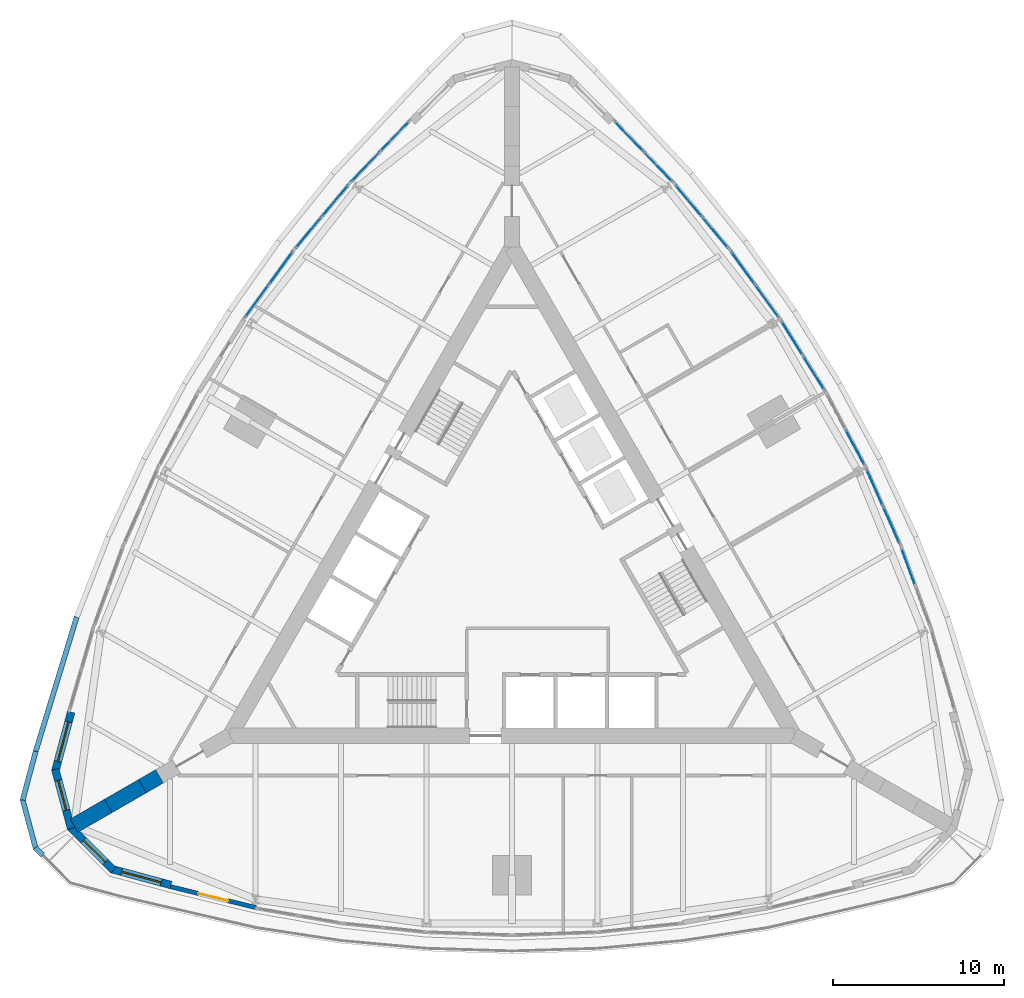
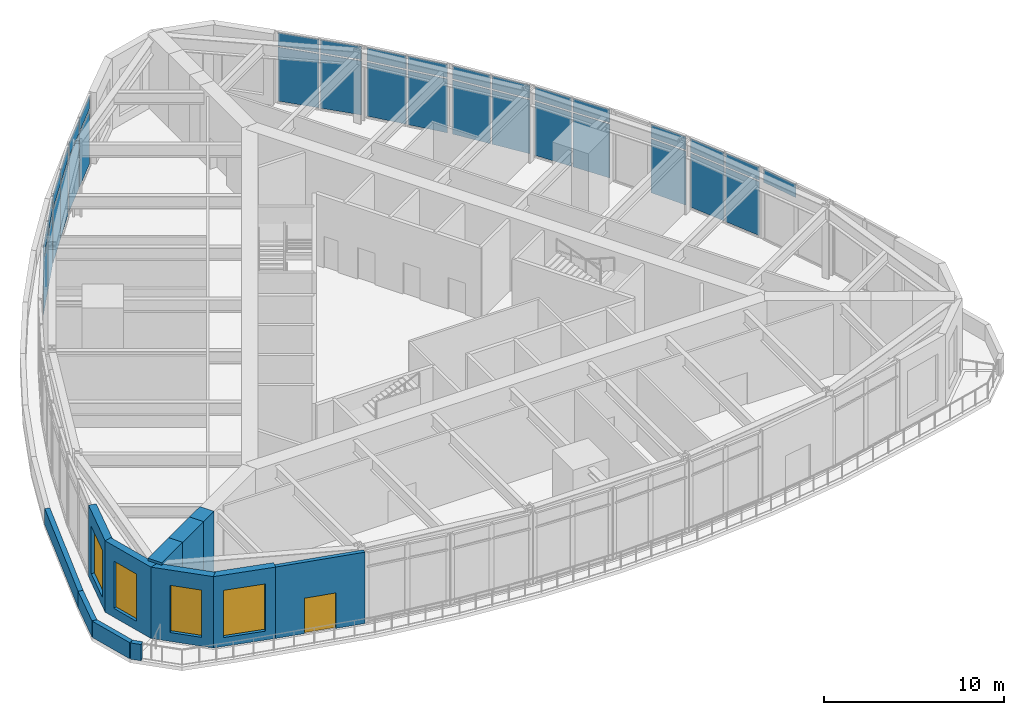
# One storey, part 8 of 14: 35 plates, 12 walls, 4 windows, 1 door, 5 openings, 10 elements without a shape of their own.
"""IFC4 building model written with IfcOpenShell, lengths in metres."""

from ifc_helpers import new_model, si_unit, direction, frame, frame_2d, origin, origin_2d, place, context, subcontext, project, spatial, polyline, rectangle, outline, extrude, material, layer, layer_set, type_object, element, fill, aggregate, save


model = new_model("IFC4")

# Units and contexts
model_context = context("Model", 3, precision=1e-05, world=origin(), true_north=direction((0.0, 1.0)))
body_context = subcontext(model_context, "Body", "Model", "MODEL_VIEW")
ifc_project = project(units=[si_unit("LENGTHUNIT", "METRE"), si_unit("AREAUNIT", "SQUARE_METRE"), si_unit("VOLUMEUNIT", "CUBIC_METRE"), si_unit("PLANEANGLEUNIT", "RADIAN"), si_unit("MASSUNIT", "GRAM", prefix="KILO")], contexts=[model_context])

# Site, building, storey
site_placement = place(None, origin())
site = spatial("IfcSite", under=ifc_project, at=site_placement, CompositionType="ELEMENT")
building_placement = place(site_placement, origin())
building = spatial("IfcBuilding", under=site, at=building_placement, Name="Trikona Tower", CompositionType="ELEMENT")
storey_placement = place(building_placement, frame((0.0, 0.0, 109.699951171875)))
storey = spatial("IfcBuildingStorey", under=building, at=storey_placement, Name="L28", CompositionType="ELEMENT", Elevation=109.699951171875)

# Curtain wall, plate
ifc_material_1 = material(Name="Aluminium curtain wall system", Category="aluminium")
curtain_wall_type = type_object("IfcCurtainWallType", Name="Curtain wall SL", PredefinedType="NOTDEFINED", material=ifc_material_1)
curtain_wall_1_placement = place(storey_placement, origin())
curtain_wall_1 = element("IfcCurtainWall", 1, at=curtain_wall_1_placement, inside=storey, type_object=curtain_wall_type, Name="Curtain wall SL L28", PredefinedType="NOTDEFINED")
ifc_material_2 = material(Name="Clear insulating glass unit", Category="glass")
ifc_layer_1 = layer(ifc_material_2, 0.028076171875)
ifc_layer_set_1 = layer_set([ifc_layer_1], Name="Glass panel SL")
plate_type = type_object("IfcPlateType", Name="Glass panel SL", PredefinedType="CURTAIN_PANEL", material=ifc_layer_set_1)
plate_1_placement = place(storey_placement, frame((23.17919921875, 0.349365234375, 3.85009765625), z_axis=(0.0, 0.0, 1.0), x_axis=(-0.343216915478, 0.939256167895, 0.0)))
plate_1 = element("IfcPlate", 2, at=plate_1_placement, type_object=plate_type, Name="CW-SL panel 2.2", PredefinedType="CURTAIN_PANEL", context=body_context, shape_type="SweptSolid", body=[
    extrude(rectangle(XDim=2.328125, YDim=0.028076171875, at=origin_2d()), origin(), (0.0, 0.0, 1.0), 0.885009765625),
])
aggregate(curtain_wall_1, [plate_1])

# Curtain wall, plates
curtain_wall_2_placement = place(storey_placement, origin())
curtain_wall_2 = element("IfcCurtainWall", 3, at=curtain_wall_2_placement, inside=storey, type_object=curtain_wall_type, Name="Curtain wall SL L28", PredefinedType="NOTDEFINED")
plate_2_placement = place(storey_placement, frame((22.193603515625, 2.78515625, 0.10009765625), z_axis=(0.0, 0.0, 1.0), x_axis=(-0.406828440082, 0.913504581456, 0.0)))
plate_2 = element("IfcPlate", 4, at=plate_2_placement, type_object=plate_type, Name="CW-SL panel 1.1", PredefinedType="CURTAIN_PANEL", context=body_context, shape_type="SweptSolid", body=[
    extrude(rectangle(XDim=2.3037109375, YDim=0.028076171875, at=origin_2d()), origin(), (0.0, 0.0, 1.0), 3.64990234375),
])
plate_3_placement = place(storey_placement, frame((22.193603515625, 2.78515625, 3.85009765625), z_axis=(0.0, 0.0, 1.0), x_axis=(-0.406828440082, 0.913504581456, 0.0)))
plate_3 = element("IfcPlate", 5, at=plate_3_placement, type_object=plate_type, Name="CW-SL panel 1.2", PredefinedType="CURTAIN_PANEL", context=body_context, shape_type="SweptSolid", body=[
    extrude(rectangle(XDim=2.3037109375, YDim=0.028076171875, at=origin_2d()), origin(), (0.0, 0.0, 1.0), 0.885009765625),
])
plate_4_placement = place(storey_placement, frame((21.215576171875, 4.98095703125, 0.10009765625), z_axis=(0.0, 0.0, 1.0), x_axis=(-0.406828440082, 0.913504581456, 0.0)))
plate_4 = element("IfcPlate", 6, at=plate_4_placement, type_object=plate_type, Name="CW-SL panel 2.1", PredefinedType="CURTAIN_PANEL", context=body_context, shape_type="SweptSolid", body=[
    extrude(rectangle(XDim=2.3037109375, YDim=0.028076171875, at=origin_2d()), origin(), (0.0, 0.0, 1.0), 3.64990234375),
])
plate_5_placement = place(storey_placement, frame((21.215576171875, 4.98095703125, 3.85009765625), z_axis=(0.0, 0.0, 1.0), x_axis=(-0.406828440082, 0.913504581456, 0.0)))
plate_5 = element("IfcPlate", 7, at=plate_5_placement, type_object=plate_type, Name="CW-SL panel 2.2", PredefinedType="CURTAIN_PANEL", context=body_context, shape_type="SweptSolid", body=[
    extrude(rectangle(XDim=2.3037109375, YDim=0.028076171875, at=origin_2d()), origin(), (0.0, 0.0, 1.0), 0.885009765625),
])
aggregate(curtain_wall_2, [plate_2, plate_3, plate_4, plate_5])

curtain_wall_3_placement = place(storey_placement, origin())
curtain_wall_3 = element("IfcCurtainWall", 8, at=curtain_wall_3_placement, inside=storey, type_object=curtain_wall_type, Name="Curtain wall SL L28", PredefinedType="NOTDEFINED")
plate_6_placement = place(storey_placement, frame((20.072021484375, 7.325927734375, 0.10009765625), z_axis=(0.0, 0.0, 1.0), x_axis=(-0.469380308937, 0.882996107343, 0.0)))
plate_6 = element("IfcPlate", 9, at=plate_6_placement, type_object=plate_type, Name="CW-SL panel 1.1", PredefinedType="CURTAIN_PANEL", context=body_context, shape_type="SweptSolid", body=[
    extrude(rectangle(XDim=2.29150390625, YDim=0.028076171875, at=origin_2d()), origin(), (0.0, 0.0, 1.0), 3.64990234375),
])
plate_7_placement = place(storey_placement, frame((20.072021484375, 7.325927734375, 3.85009765625), z_axis=(0.0, 0.0, 1.0), x_axis=(-0.469380308937, 0.882996107343, 0.0)))
plate_7 = element("IfcPlate", 10, at=plate_7_placement, type_object=plate_type, Name="CW-SL panel 1.2", PredefinedType="CURTAIN_PANEL", context=body_context, shape_type="SweptSolid", body=[
    extrude(rectangle(XDim=2.29150390625, YDim=0.028076171875, at=origin_2d()), origin(), (0.0, 0.0, 1.0), 0.885009765625),
])
aggregate(curtain_wall_3, [plate_6, plate_7])

curtain_wall_4_placement = place(storey_placement, origin())
curtain_wall_4 = element("IfcCurtainWall", 11, at=curtain_wall_4_placement, inside=storey, type_object=curtain_wall_type, Name="Curtain wall SL L28", PredefinedType="NOTDEFINED")
plate_8_placement = place(storey_placement, frame((17.64794921875, 11.69189453125, 0.10009765625), z_axis=(0.0, 0.0, 1.0), x_axis=(-0.529998940002, 0.847998304006, 0.0)))
plate_8 = element("IfcPlate", 12, at=plate_8_placement, type_object=plate_type, Name="CW-SL panel 1.1", PredefinedType="CURTAIN_PANEL", context=body_context, shape_type="SweptSolid", body=[
    extrude(rectangle(XDim=2.29150390625, YDim=0.028076171875, at=origin_2d()), origin(), (0.0, 0.0, 1.0), 3.64990234375),
])
plate_9_placement = place(storey_placement, frame((17.64794921875, 11.69189453125, 3.85009765625), z_axis=(0.0, 0.0, 1.0), x_axis=(-0.529998940002, 0.847998304006, 0.0)))
plate_9 = element("IfcPlate", 13, at=plate_9_placement, type_object=plate_type, Name="CW-SL panel 1.2", PredefinedType="CURTAIN_PANEL", context=body_context, shape_type="SweptSolid", body=[
    extrude(rectangle(XDim=2.29150390625, YDim=0.028076171875, at=origin_2d()), origin(), (0.0, 0.0, 1.0), 0.885009765625),
])
plate_10_placement = place(storey_placement, frame((16.380615234375, 13.719970703125, 0.10009765625), z_axis=(0.0, 0.0, 1.0), x_axis=(-0.529998940002, 0.847998304006, 0.0)))
plate_10 = element("IfcPlate", 14, at=plate_10_placement, type_object=plate_type, Name="CW-SL panel 2.1", PredefinedType="CURTAIN_PANEL", context=body_context, shape_type="SweptSolid", body=[
    extrude(rectangle(XDim=2.29150390625, YDim=0.028076171875, at=origin_2d()), origin(), (0.0, 0.0, 1.0), 3.64990234375),
])
plate_11_placement = place(storey_placement, frame((16.380615234375, 13.719970703125, 3.85009765625), z_axis=(0.0, 0.0, 1.0), x_axis=(-0.529998940002, 0.847998304006, 0.0)))
plate_11 = element("IfcPlate", 15, at=plate_11_placement, type_object=plate_type, Name="CW-SL panel 2.2", PredefinedType="CURTAIN_PANEL", context=body_context, shape_type="SweptSolid", body=[
    extrude(rectangle(XDim=2.29150390625, YDim=0.028076171875, at=origin_2d()), origin(), (0.0, 0.0, 1.0), 0.885009765625),
])
aggregate(curtain_wall_4, [plate_8, plate_9, plate_10, plate_11])

curtain_wall_5_placement = place(storey_placement, origin())
curtain_wall_5 = element("IfcCurtainWall", 16, at=curtain_wall_5_placement, inside=storey, type_object=curtain_wall_type, Name="Curtain wall SL L28", PredefinedType="NOTDEFINED")
plate_12_placement = place(storey_placement, frame((14.92138671875, 15.8828125, 0.10009765625), z_axis=(0.0, 0.0, 1.0), x_axis=(-0.587677248943, 0.809095452388, 0.0)))
plate_12 = element("IfcPlate", 17, at=plate_12_placement, type_object=plate_type, Name="CW-SL panel 1.1", PredefinedType="CURTAIN_PANEL", context=body_context, shape_type="SweptSolid", body=[
    extrude(rectangle(XDim=2.3037109375, YDim=0.028076171875, at=origin_2d()), origin(), (0.0, 0.0, 1.0), 3.64990234375),
])
plate_13_placement = place(storey_placement, frame((14.92138671875, 15.8828125, 3.85009765625), z_axis=(0.0, 0.0, 1.0), x_axis=(-0.587677248943, 0.809095452388, 0.0)))
plate_13 = element("IfcPlate", 18, at=plate_13_placement, type_object=plate_type, Name="CW-SL panel 1.2", PredefinedType="CURTAIN_PANEL", context=body_context, shape_type="SweptSolid", body=[
    extrude(rectangle(XDim=2.3037109375, YDim=0.028076171875, at=origin_2d()), origin(), (0.0, 0.0, 1.0), 0.885009765625),
])
plate_14_placement = place(storey_placement, frame((13.5087890625, 17.82763671875, 0.10009765625), z_axis=(0.0, 0.0, 1.0), x_axis=(-0.587677248943, 0.809095452388, 0.0)))
plate_14 = element("IfcPlate", 19, at=plate_14_placement, type_object=plate_type, Name="CW-SL panel 2.1", PredefinedType="CURTAIN_PANEL", context=body_context, shape_type="SweptSolid", body=[
    extrude(rectangle(XDim=2.3037109375, YDim=0.028076171875, at=origin_2d()), origin(), (0.0, 0.0, 1.0), 3.64990234375),
])
plate_15_placement = place(storey_placement, frame((13.5087890625, 17.82763671875, 3.85009765625), z_axis=(0.0, 0.0, 1.0), x_axis=(-0.587677248943, 0.809095452388, 0.0)))
plate_15 = element("IfcPlate", 20, at=plate_15_placement, type_object=plate_type, Name="CW-SL panel 2.2", PredefinedType="CURTAIN_PANEL", context=body_context, shape_type="SweptSolid", body=[
    extrude(rectangle(XDim=2.3037109375, YDim=0.028076171875, at=origin_2d()), origin(), (0.0, 0.0, 1.0), 0.885009765625),
])
aggregate(curtain_wall_5, [plate_12, plate_13, plate_14, plate_15])

curtain_wall_6_placement = place(storey_placement, origin())
curtain_wall_6 = element("IfcCurtainWall", 21, at=curtain_wall_6_placement, inside=storey, type_object=curtain_wall_type, Name="Curtain wall SL L28", PredefinedType="NOTDEFINED")
plate_16_placement = place(storey_placement, frame((11.892333984375, 19.89892578125, 0.10009765625), z_axis=(0.0, 0.0, 1.0), x_axis=(-0.641806433248, 0.766866678271, 0.0)))
plate_16 = element("IfcPlate", 22, at=plate_16_placement, type_object=plate_type, Name="CW-SL panel 1.1", PredefinedType="CURTAIN_PANEL", context=body_context, shape_type="SweptSolid", body=[
    extrude(rectangle(XDim=2.328125, YDim=0.028076171875, at=origin_2d()), origin(), (0.0, 0.0, 1.0), 3.64990234375),
])
plate_17_placement = place(storey_placement, frame((11.892333984375, 19.89892578125, 3.85009765625), z_axis=(0.0, 0.0, 1.0), x_axis=(-0.641806433248, 0.766866678271, 0.0)))
plate_17 = element("IfcPlate", 23, at=plate_17_placement, type_object=plate_type, Name="CW-SL panel 1.2", PredefinedType="CURTAIN_PANEL", context=body_context, shape_type="SweptSolid", body=[
    extrude(rectangle(XDim=2.328125, YDim=0.028076171875, at=origin_2d()), origin(), (0.0, 0.0, 1.0), 0.885009765625),
])
plate_18_placement = place(storey_placement, frame((10.333984375, 21.760986328125, 0.10009765625), z_axis=(0.0, 0.0, 1.0), x_axis=(-0.641806433248, 0.766866678271, 0.0)))
plate_18 = element("IfcPlate", 24, at=plate_18_placement, type_object=plate_type, Name="CW-SL panel 2.1", PredefinedType="CURTAIN_PANEL", context=body_context, shape_type="SweptSolid", body=[
    extrude(rectangle(XDim=2.328125, YDim=0.028076171875, at=origin_2d()), origin(), (0.0, 0.0, 1.0), 3.64990234375),
])
plate_19_placement = place(storey_placement, frame((10.333984375, 21.760986328125, 3.85009765625), z_axis=(0.0, 0.0, 1.0), x_axis=(-0.641806433248, 0.766866678271, 0.0)))
plate_19 = element("IfcPlate", 25, at=plate_19_placement, type_object=plate_type, Name="CW-SL panel 2.2", PredefinedType="CURTAIN_PANEL", context=body_context, shape_type="SweptSolid", body=[
    extrude(rectangle(XDim=2.328125, YDim=0.028076171875, at=origin_2d()), origin(), (0.0, 0.0, 1.0), 0.885009765625),
])
aggregate(curtain_wall_6, [plate_16, plate_17, plate_18, plate_19])

curtain_wall_7_placement = place(storey_placement, origin())
curtain_wall_7 = element("IfcCurtainWall", 26, at=curtain_wall_7_placement, inside=storey, type_object=curtain_wall_type, Name="Curtain wall SL L28", PredefinedType="NOTDEFINED")
plate_20_placement = place(storey_placement, frame((8.560546875, 23.740478515625, 0.10009765625), z_axis=(0.0, 0.0, 1.0), x_axis=(-0.691727797117, 0.722158330767, 0.0)))
plate_20 = element("IfcPlate", 27, at=plate_20_placement, type_object=plate_type, Name="CW-SL panel 1.1", PredefinedType="CURTAIN_PANEL", context=body_context, shape_type="SweptSolid", body=[
    extrude(rectangle(XDim=2.364013671875, YDim=0.028076171875, at=origin_2d()), origin(), (0.0, 0.0, 1.0), 3.64990234375),
])
plate_21_placement = place(storey_placement, frame((8.560546875, 23.740478515625, 3.85009765625), z_axis=(0.0, 0.0, 1.0), x_axis=(-0.691727797117, 0.722158330767, 0.0)))
plate_21 = element("IfcPlate", 28, at=plate_21_placement, type_object=plate_type, Name="CW-SL panel 1.2", PredefinedType="CURTAIN_PANEL", context=body_context, shape_type="SweptSolid", body=[
    extrude(rectangle(XDim=2.364013671875, YDim=0.028076171875, at=origin_2d()), origin(), (0.0, 0.0, 1.0), 0.885009765625),
])
plate_22_placement = place(storey_placement, frame((6.85595703125, 25.519775390625, 0.10009765625), z_axis=(0.0, 0.0, 1.0), x_axis=(-0.691727797117, 0.722158330767, 0.0)))
plate_22 = element("IfcPlate", 29, at=plate_22_placement, type_object=plate_type, Name="CW-SL panel 2.1", PredefinedType="CURTAIN_PANEL", context=body_context, shape_type="SweptSolid", body=[
    extrude(rectangle(XDim=2.364013671875, YDim=0.028076171875, at=origin_2d()), origin(), (0.0, 0.0, 1.0), 3.64990234375),
])
plate_23_placement = place(storey_placement, frame((6.85595703125, 25.519775390625, 3.85009765625), z_axis=(0.0, 0.0, 1.0), x_axis=(-0.691727797117, 0.722158330767, 0.0)))
plate_23 = element("IfcPlate", 30, at=plate_23_placement, type_object=plate_type, Name="CW-SL panel 2.2", PredefinedType="CURTAIN_PANEL", context=body_context, shape_type="SweptSolid", body=[
    extrude(rectangle(XDim=2.364013671875, YDim=0.028076171875, at=origin_2d()), origin(), (0.0, 0.0, 1.0), 0.885009765625),
])
aggregate(curtain_wall_7, [plate_20, plate_21, plate_22, plate_23])

curtain_wall_8_placement = place(storey_placement, origin())
curtain_wall_8 = element("IfcCurtainWall", 31, at=curtain_wall_8_placement, inside=storey, type_object=curtain_wall_type, Name="Curtain wall SL L28", PredefinedType="NOTDEFINED")
plate_24_placement = place(storey_placement, frame((-6.85595703125, 25.519775390625, 0.10009765625), z_axis=(0.0, 0.0, 1.0), x_axis=(-0.691727797117, -0.722158330767, 0.0)))
plate_24 = element("IfcPlate", 32, at=plate_24_placement, type_object=plate_type, Name="CW-SL panel 1.1", PredefinedType="CURTAIN_PANEL", context=body_context, shape_type="SweptSolid", body=[
    extrude(rectangle(XDim=2.364013671875, YDim=0.028076171875, at=origin_2d()), origin(), (0.0, 0.0, 1.0), 3.64990234375),
])
plate_25_placement = place(storey_placement, frame((-6.85595703125, 25.519775390625, 3.85009765625), z_axis=(0.0, 0.0, 1.0), x_axis=(-0.691727797117, -0.722158330767, 0.0)))
plate_25 = element("IfcPlate", 33, at=plate_25_placement, type_object=plate_type, Name="CW-SL panel 1.2", PredefinedType="CURTAIN_PANEL", context=body_context, shape_type="SweptSolid", body=[
    extrude(rectangle(XDim=2.364013671875, YDim=0.028076171875, at=origin_2d()), origin(), (0.0, 0.0, 1.0), 0.885009765625),
])
plate_26_placement = place(storey_placement, frame((-8.560546875, 23.740478515625, 0.10009765625), z_axis=(0.0, 0.0, 1.0), x_axis=(-0.691727797117, -0.722158330767, 0.0)))
plate_26 = element("IfcPlate", 34, at=plate_26_placement, type_object=plate_type, Name="CW-SL panel 2.1", PredefinedType="CURTAIN_PANEL", context=body_context, shape_type="SweptSolid", body=[
    extrude(rectangle(XDim=2.364013671875, YDim=0.028076171875, at=origin_2d()), origin(), (0.0, 0.0, 1.0), 3.64990234375),
])
plate_27_placement = place(storey_placement, frame((-8.560546875, 23.740478515625, 3.85009765625), z_axis=(0.0, 0.0, 1.0), x_axis=(-0.691727797117, -0.722158330767, 0.0)))
plate_27 = element("IfcPlate", 35, at=plate_27_placement, type_object=plate_type, Name="CW-SL panel 2.2", PredefinedType="CURTAIN_PANEL", context=body_context, shape_type="SweptSolid", body=[
    extrude(rectangle(XDim=2.364013671875, YDim=0.028076171875, at=origin_2d()), origin(), (0.0, 0.0, 1.0), 0.885009765625),
])
aggregate(curtain_wall_8, [plate_24, plate_25, plate_26, plate_27])

curtain_wall_9_placement = place(storey_placement, origin())
curtain_wall_9 = element("IfcCurtainWall", 36, at=curtain_wall_9_placement, inside=storey, type_object=curtain_wall_type, Name="Curtain wall SL L28", PredefinedType="NOTDEFINED")
plate_28_placement = place(storey_placement, frame((-10.333984375, 21.760986328125, 0.10009765625), z_axis=(0.0, 0.0, 1.0), x_axis=(-0.641806433248, -0.766866678271, 0.0)))
plate_28 = element("IfcPlate", 37, at=plate_28_placement, type_object=plate_type, Name="CW-SL panel 1.1", PredefinedType="CURTAIN_PANEL", context=body_context, shape_type="SweptSolid", body=[
    extrude(rectangle(XDim=2.328125, YDim=0.028076171875, at=origin_2d()), origin(), (0.0, 0.0, 1.0), 3.64990234375),
])
plate_29_placement = place(storey_placement, frame((-10.333984375, 21.760986328125, 3.85009765625), z_axis=(0.0, 0.0, 1.0), x_axis=(-0.641806433248, -0.766866678271, 0.0)))
plate_29 = element("IfcPlate", 38, at=plate_29_placement, type_object=plate_type, Name="CW-SL panel 1.2", PredefinedType="CURTAIN_PANEL", context=body_context, shape_type="SweptSolid", body=[
    extrude(rectangle(XDim=2.328125, YDim=0.028076171875, at=origin_2d()), origin(), (0.0, 0.0, 1.0), 0.885009765625),
])
plate_30_placement = place(storey_placement, frame((-11.892333984375, 19.89892578125, 0.10009765625), z_axis=(0.0, 0.0, 1.0), x_axis=(-0.641806433248, -0.766866678271, 0.0)))
plate_30 = element("IfcPlate", 39, at=plate_30_placement, type_object=plate_type, Name="CW-SL panel 2.1", PredefinedType="CURTAIN_PANEL", context=body_context, shape_type="SweptSolid", body=[
    extrude(rectangle(XDim=2.328125, YDim=0.028076171875, at=origin_2d()), origin(), (0.0, 0.0, 1.0), 3.64990234375),
])
plate_31_placement = place(storey_placement, frame((-11.892333984375, 19.89892578125, 3.85009765625), z_axis=(0.0, 0.0, 1.0), x_axis=(-0.641806433248, -0.766866678271, 0.0)))
plate_31 = element("IfcPlate", 40, at=plate_31_placement, type_object=plate_type, Name="CW-SL panel 2.2", PredefinedType="CURTAIN_PANEL", context=body_context, shape_type="SweptSolid", body=[
    extrude(rectangle(XDim=2.328125, YDim=0.028076171875, at=origin_2d()), origin(), (0.0, 0.0, 1.0), 0.885009765625),
])
aggregate(curtain_wall_9, [plate_28, plate_29, plate_30, plate_31])

curtain_wall_10_placement = place(storey_placement, origin())
curtain_wall_10 = element("IfcCurtainWall", 41, at=curtain_wall_10_placement, inside=storey, type_object=curtain_wall_type, Name="Curtain wall SL L28", PredefinedType="NOTDEFINED")
plate_32_placement = place(storey_placement, frame((-13.5087890625, 17.82763671875, 0.10009765625), z_axis=(0.0, 0.0, 1.0), x_axis=(-0.587677248943, -0.809095452388, 0.0)))
plate_32 = element("IfcPlate", 42, at=plate_32_placement, type_object=plate_type, Name="CW-SL panel 1.1", PredefinedType="CURTAIN_PANEL", context=body_context, shape_type="SweptSolid", body=[
    extrude(rectangle(XDim=2.3037109375, YDim=0.028076171875, at=origin_2d()), origin(), (0.0, 0.0, 1.0), 3.64990234375),
])
plate_33_placement = place(storey_placement, frame((-13.5087890625, 17.82763671875, 3.85009765625), z_axis=(0.0, 0.0, 1.0), x_axis=(-0.587677248943, -0.809095452388, 0.0)))
plate_33 = element("IfcPlate", 43, at=plate_33_placement, type_object=plate_type, Name="CW-SL panel 1.2", PredefinedType="CURTAIN_PANEL", context=body_context, shape_type="SweptSolid", body=[
    extrude(rectangle(XDim=2.3037109375, YDim=0.028076171875, at=origin_2d()), origin(), (0.0, 0.0, 1.0), 0.885009765625),
])
plate_34_placement = place(storey_placement, frame((-14.92138671875, 15.8828125, 0.10009765625), z_axis=(0.0, 0.0, 1.0), x_axis=(-0.587677248943, -0.809095452388, 0.0)))
plate_34 = element("IfcPlate", 44, at=plate_34_placement, type_object=plate_type, Name="CW-SL panel 2.1", PredefinedType="CURTAIN_PANEL", context=body_context, shape_type="SweptSolid", body=[
    extrude(rectangle(XDim=2.3037109375, YDim=0.028076171875, at=origin_2d()), origin(), (0.0, 0.0, 1.0), 3.64990234375),
])
plate_35_placement = place(storey_placement, frame((-14.92138671875, 15.8828125, 3.85009765625), z_axis=(0.0, 0.0, 1.0), x_axis=(-0.587677248943, -0.809095452388, 0.0)))
plate_35 = element("IfcPlate", 45, at=plate_35_placement, type_object=plate_type, Name="CW-SL panel 2.2", PredefinedType="CURTAIN_PANEL", context=body_context, shape_type="SweptSolid", body=[
    extrude(rectangle(XDim=2.3037109375, YDim=0.028076171875, at=origin_2d()), origin(), (0.0, 0.0, 1.0), 0.885009765625),
])
aggregate(curtain_wall_10, [plate_32, plate_33, plate_34, plate_35])

# Wall, opening, window
ifc_material_3 = material(Name="Brick-faced precast concrete", Category="masonry")
ifc_layer_2 = layer(ifc_material_3, 0.449951171875)
ifc_layer_set_2 = layer_set([ifc_layer_2], Name="Brick-faced corner wall 450")
wall_type_1 = type_object("IfcWallType", Name="Brick-faced corner wall 450", PredefinedType="SOLIDWALL", material=ifc_layer_set_2)
wall_1_placement = place(storey_placement, frame((-25.78271484375, -8.14111328125, 0.0), z_axis=(0.0, 0.0, 1.0), x_axis=(-0.258823421857, -0.965924653531, 0.0)))
wall_1 = element("IfcWall", 46, at=wall_1_placement, inside=storey, type_object=wall_type_1, Name="External wall L28-32", PredefinedType="SOLIDWALL", context=body_context, shape_type="SweptSolid", body=[
    extrude(rectangle(XDim=3.58642578125, YDim=0.449951171875, at=frame_2d((1.793212890625, 0.0))), origin(), (0.0, 0.0, 1.0), 4.8349609375),
])
opening_1_placement = place(wall_1_placement, frame((0.593017578125, 0.0, 0.60009765625)))
opening_1 = element("IfcOpeningElement", 47, at=opening_1_placement, cuts=wall_1, Name="Opening W2432", PredefinedType="OPENING", context=body_context, shape_type="SweptSolid", body=[
    extrude(rectangle(XDim=2.39990234375, YDim=3.199951171875, at=frame_2d((1.199951171875, 1.60009765625))), frame((0.0, 0.23486328125, 0.0), z_axis=(0.0, -1.0, 0.0), x_axis=(1.0, 0.0, 0.0)), (0.0, 0.0, 1.0), 0.469970703125),
])
ifc_material_4 = material(Name="Aluminium-framed double glazing", Category="aluminium")
window_type_1 = type_object("IfcWindowType", Name="Window 2400x3200", PartitioningType="SINGLE_PANEL", PredefinedType="WINDOW", material=ifc_material_4)
window_1_placement = place(opening_1_placement, origin())
window_1 = element("IfcWindow", 48, at=window_1_placement, inside=storey, type_object=window_type_1, Name="Window L28-BCN", OverallHeight=3.199951171875, OverallWidth=2.39990234375, PartitioningType="SINGLE_PANEL", PredefinedType="WINDOW", context=body_context, shape_type="SweptSolid", body=[
    extrude(rectangle(XDim=2.39990234375, YDim=3.199951171875, at=frame_2d((1.199951171875, 1.60009765625))), frame((0.0, 0.030029296875, 0.0), z_axis=(0.0, -1.0, 0.0), x_axis=(1.0, 0.0, 0.0)), (0.0, 0.0, 1.0), 0.06005859375),
])
fill(opening_1, window_1)

wall_2_placement = place(storey_placement, frame((-26.7109375, -11.48876953125, 0.0), z_axis=(0.0, 0.0, 1.0), x_axis=(0.258823421857, -0.965924653531, 0.0)))
wall_2 = element("IfcWall", 49, at=wall_2_placement, inside=storey, type_object=wall_type_1, Name="External wall L28-33", PredefinedType="SOLIDWALL", context=body_context, shape_type="SweptSolid", body=[
    extrude(outline(polyline([(3.58642578125, 0.22509765625), (3.52685546875, 0.22509765625), (3.03515625, 0.09326171875), (3.0, 0.22509765625), (0.0, 0.22509765625), (0.0, -0.22509765625), (3.58642578125, -0.22509765625), (3.58642578125, 0.22509765625)])), origin(), (0.0, 0.0, 1.0), 4.8349609375),
])
opening_2_placement = place(wall_2_placement, frame((0.6748046875, 0.0, 0.60009765625)))
opening_2 = element("IfcOpeningElement", 50, at=opening_2_placement, cuts=wall_2, Name="Opening W1832", PredefinedType="OPENING", context=body_context, shape_type="SweptSolid", body=[
    extrude(rectangle(XDim=1.800048828125, YDim=3.199951171875, at=frame_2d((0.89990234375, 1.60009765625))), frame((0.0, 0.23486328125, 0.0), z_axis=(0.0, -1.0, 0.0), x_axis=(1.0, 0.0, 0.0)), (0.0, 0.0, 1.0), 0.469970703125),
])
ifc_material_5 = material(Name="Aluminium-framed double glazing", Category="aluminium")
window_type_2 = type_object("IfcWindowType", Name="Window 1800x3200", PartitioningType="SINGLE_PANEL", PredefinedType="WINDOW", material=ifc_material_5)
window_2_placement = place(opening_2_placement, origin())
window_2 = element("IfcWindow", 51, at=window_2_placement, inside=storey, type_object=window_type_2, Name="Window L28-BCN", OverallHeight=3.199951171875, OverallWidth=1.800048828125, PartitioningType="SINGLE_PANEL", PredefinedType="WINDOW", context=body_context, shape_type="SweptSolid", body=[
    extrude(rectangle(XDim=1.800048828125, YDim=3.199951171875, at=frame_2d((0.89990234375, 1.60009765625))), frame((0.0, 0.030029296875, 0.0), z_axis=(0.0, -1.0, 0.0), x_axis=(1.0, 0.0, 0.0)), (0.0, 0.0, 1.0), 0.06005859375),
])
fill(opening_2, window_2)

wall_3_placement = place(storey_placement, frame((-25.8408203125, -14.85205078125, 0.0), z_axis=(0.0, 0.0, 1.0), x_axis=(0.707106781187, -0.707106781187, 0.0)))
wall_3 = element("IfcWall", 52, at=wall_3_placement, inside=storey, type_object=wall_type_1, Name="External wall L28-34", PredefinedType="SOLIDWALL", context=body_context, shape_type="SweptSolid", body=[
    extrude(outline(polyline([(3.586181640625, 0.22509765625), (0.58642578125, 0.22509765625), (0.551025390625, 0.09326171875), (0.05908203125, 0.22509765625), (0.0, 0.22509765625), (0.0, -0.22509765625), (3.586181640625, -0.22509765625), (3.586181640625, 0.22509765625)])), origin(), (0.0, 0.0, 1.0), 4.8349609375),
])
opening_3_placement = place(wall_3_placement, frame((1.111328125, 0.0, 0.60009765625)))
opening_3 = element("IfcOpeningElement", 53, at=opening_3_placement, cuts=wall_3, Name="Opening W1832", PredefinedType="OPENING", context=body_context, shape_type="SweptSolid", body=[
    extrude(rectangle(XDim=1.800048828125, YDim=3.199951171875, at=frame_2d((0.89990234375, 1.60009765625))), frame((0.0, 0.23486328125, 0.0), z_axis=(0.0, -1.0, 0.0), x_axis=(1.0, 0.0, 0.0)), (0.0, 0.0, 1.0), 0.469970703125),
])
window_3_placement = place(opening_3_placement, origin())
window_3 = element("IfcWindow", 54, at=window_3_placement, inside=storey, type_object=window_type_2, Name="Window L28-SKL", OverallHeight=3.199951171875, OverallWidth=1.800048828125, PartitioningType="SINGLE_PANEL", PredefinedType="WINDOW", context=body_context, shape_type="SweptSolid", body=[
    extrude(rectangle(XDim=1.800048828125, YDim=3.199951171875, at=frame_2d((0.89990234375, 1.60009765625))), frame((0.0, 0.030029296875, 0.0), z_axis=(0.0, -1.0, 0.0), x_axis=(1.0, 0.0, 0.0)), (0.0, 0.0, 1.0), 0.06005859375),
])
fill(opening_3, window_3)

wall_4_placement = place(storey_placement, frame((-23.406005859375, -17.32958984375, 0.0), z_axis=(0.0, 0.0, 1.0), x_axis=(0.965924653531, -0.258823421857, 0.0)))
wall_4 = element("IfcWall", 55, at=wall_4_placement, inside=storey, type_object=wall_type_1, Name="External wall L28-35", PredefinedType="SOLIDWALL", context=body_context, shape_type="SweptSolid", body=[
    extrude(rectangle(XDim=3.58642578125, YDim=0.449951171875, at=frame_2d((1.793212890625, 0.0))), origin(), (0.0, 0.0, 1.0), 4.8349609375),
])
opening_4_placement = place(wall_4_placement, frame((0.593017578125, 0.0, 0.60009765625)))
opening_4 = element("IfcOpeningElement", 56, at=opening_4_placement, cuts=wall_4, Name="Opening W2432", PredefinedType="OPENING", context=body_context, shape_type="SweptSolid", body=[
    extrude(rectangle(XDim=2.39990234375, YDim=3.199951171875, at=frame_2d((1.199951171875, 1.60009765625))), frame((0.0, 0.23486328125, 0.0), z_axis=(0.0, -1.0, 0.0), x_axis=(1.0, 0.0, 0.0)), (0.0, 0.0, 1.0), 0.469970703125),
])
window_4_placement = place(opening_4_placement, origin())
window_4 = element("IfcWindow", 57, at=window_4_placement, inside=storey, type_object=window_type_1, Name="Window L28-SKL", OverallHeight=3.199951171875, OverallWidth=2.39990234375, PartitioningType="SINGLE_PANEL", PredefinedType="WINDOW", context=body_context, shape_type="SweptSolid", body=[
    extrude(rectangle(XDim=2.39990234375, YDim=3.199951171875, at=frame_2d((1.199951171875, 1.60009765625))), frame((0.0, 0.030029296875, 0.0), z_axis=(0.0, -1.0, 0.0), x_axis=(1.0, 0.0, 0.0)), (0.0, 0.0, 1.0), 0.06005859375),
])
fill(opening_4, window_4)

# Walls
ifc_material_6 = material(Name="Concrete f'c 10000 psi", Category="concrete")
ifc_layer_3 = layer(ifc_material_6, 0.89990234375)
ifc_layer_set_3 = layer_set([ifc_layer_3], Name="Buttress wall 900")
wall_type_2 = type_object("IfcWallType", Name="Buttress wall 900", PredefinedType="SHEAR", material=ifc_layer_set_3)
wall_5_placement = place(storey_placement, frame((-20.6103515625, -11.8994140625, 0.0), z_axis=(0.0, 0.0, 1.0), x_axis=(-0.866009537788, -0.500027479704, 0.0)))
element("IfcWall", 58, at=wall_5_placement, inside=storey, type_object=wall_type_2, Name="Buttress wall 3 part 2", PredefinedType="SHEAR", context=body_context, shape_type="SweptSolid", body=[
    extrude(rectangle(XDim=1.15478515625, YDim=0.89990234375, at=frame_2d((0.577392578125, 0.0))), origin(), (0.0, 0.0, 1.0), 5.0),
])
for number, where, z_axis, x_axis, name in (
    (59, (-21.6103515625, -12.476806640625, 0.0), (0.0, 0.0, 1.0), (-0.866055313784, -0.499948190782, 0.0), "Buttress wall 3 part 3"),
    (60, (-23.6103515625, -13.63134765625, 0.0), (0.0, 0.0, 1.0), (-0.866009537788, -0.500027479704, 0.0), "Buttress wall 3 part 4"),
):
    element("IfcWall", number, at=place(storey_placement, frame(where, z_axis=z_axis, x_axis=x_axis)), inside=storey, type_object=wall_type_2, Name=name, PredefinedType="SHEAR", context=body_context, shape_type="SweptSolid", body=[
        extrude(rectangle(XDim=2.309326171875, YDim=0.89990234375, at=frame_2d((1.15478515625, 0.0))), origin(), (0.0, 0.0, 1.0), 5.0),
    ])

# Wall, opening, door
ifc_material_7 = material(Name="Insulated precast concrete spandrel panel", Category="concrete")
ifc_layer_4 = layer(ifc_material_7, 0.25)
ifc_layer_set_4 = layer_set([ifc_layer_4], Name="Inner skin wall 250")
wall_type_3 = type_object("IfcWallType", Name="Inner skin wall 250", PredefinedType="STANDARD", material=ifc_layer_set_4)
wall_6_placement = place(storey_placement, frame((-19.97021484375, -18.353759765625, 0.0), z_axis=(0.0, 0.0, 1.0), x_axis=(0.971270024053, -0.237980126011, 0.0)))
wall_6 = element("IfcWall", 61, at=wall_6_placement, inside=storey, type_object=wall_type_3, Name="External wall L28-00", PredefinedType="STANDARD", context=body_context, shape_type="SweptSolid", body=[
    extrude(rectangle(XDim=5.14794921875, YDim=0.25, at=frame_2d((2.573974609375, 0.0))), origin(), (0.0, 0.0, 1.0), 4.8349609375),
])
opening_5_placement = place(wall_6_placement, frame((1.673828125, 0.0, 0.0)))
opening_5 = element("IfcOpeningElement", 62, at=opening_5_placement, cuts=wall_6, Name="Opening D8", PredefinedType="OPENING", context=body_context, shape_type="SweptSolid", body=[
    extrude(rectangle(XDim=1.800048828125, YDim=2.39990234375, at=frame_2d((0.89990234375, 1.199951171875))), frame((0.0, 0.135009765625, 0.0), z_axis=(0.0, -1.0, 0.0), x_axis=(1.0, 0.0, 0.0)), (0.0, 0.0, 1.0), 0.27001953125),
])
ifc_material_8 = material(Name="Aluminium-framed glazed door", Category="aluminium")
door_type = type_object("IfcDoorType", Name="Terrace door pair 1800x2400", OperationType="DOUBLE_DOOR_SINGLE_SWING", PredefinedType="DOOR", material=ifc_material_8)
door_placement = place(opening_5_placement, origin())
door = element("IfcDoor", 63, at=door_placement, inside=storey, type_object=door_type, Name="Terrace door Sky lounge", OperationType="DOUBLE_DOOR_SINGLE_SWING", OverallHeight=2.39990234375, OverallWidth=1.800048828125, PredefinedType="DOOR", context=body_context, shape_type="SweptSolid", body=[
    extrude(rectangle(XDim=1.800048828125, YDim=2.39990234375, at=frame_2d((0.89990234375, 1.199951171875))), frame((0.0, 0.02490234375, 0.0), z_axis=(0.0, -1.0, 0.0), x_axis=(1.0, 0.0, 0.0)), (0.0, 0.0, 1.0), 0.050048828125),
])
fill(opening_5, door)

# Walls
ifc_material_9 = material(Name="Brick-faced precast concrete", Category="masonry")
ifc_layer_5 = layer(ifc_material_9, 0.300048828125)
ifc_layer_set_5 = layer_set([ifc_layer_5], Name="Parapet wall 300")
wall_type_4 = type_object("IfcWallType", Name="Parapet wall 300", PredefinedType="PARAPET", material=ifc_layer_set_5)
wall_7_placement = place(storey_placement, frame((-27.44140625, -16.512451171875, 0.0), z_axis=(0.0, 0.0, 1.0), x_axis=(-0.706903267951, 0.707310235866, 0.0)))
element("IfcWall", 64, at=wall_7_placement, inside=storey, type_object=wall_type_4, Name="Green roof parapet L28-1-00", PredefinedType="PARAPET", context=body_context, shape_type="SweptSolid", body=[
    extrude(rectangle(XDim=0.599853515625, YDim=0.300048828125, at=frame_2d((0.2998046875, 0.0))), origin(), (0.0, 0.0, 1.0), 1.10009765625),
])
wall_8_placement = place(storey_placement, frame((-27.865478515625, -16.088134765625, 0.0), z_axis=(0.0, 0.0, 1.0), x_axis=(-0.258817211633, 0.965926317564, 0.0)))
element("IfcWall", 65, at=wall_8_placement, inside=storey, type_object=wall_type_4, Name="Green roof parapet L28-1-01", PredefinedType="PARAPET", context=body_context, shape_type="SweptSolid", body=[
    extrude(rectangle(XDim=2.908203125, YDim=0.300048828125, at=frame_2d((1.4541015625, 0.0))), origin(), (0.0, 0.0, 1.0), 1.10009765625),
])
wall_9_placement = place(storey_placement, frame((-28.6181640625, -13.279052734375, 0.0), z_axis=(0.0, 0.0, 1.0), x_axis=(0.258823078531, 0.965924745526, 0.0)))
element("IfcWall", 66, at=wall_9_placement, inside=storey, type_object=wall_type_4, Name="Green roof parapet L28-1-02", PredefinedType="PARAPET", context=body_context, shape_type="SweptSolid", body=[
    extrude(rectangle(XDim=2.94580078125, YDim=0.300048828125, at=frame_2d((1.472900390625, 0.0))), origin(), (0.0, 0.0, 1.0), 1.10009765625),
])
wall_10_placement = place(storey_placement, frame((-27.855712890625, -10.43359375, 0.0), z_axis=(0.0, 0.0, 1.0), x_axis=(0.291972778305, 0.956426629036, 0.0)))
element("IfcWall", 67, at=wall_10_placement, inside=storey, type_object=wall_type_4, Name="Green roof parapet L28-1-03", PredefinedType="PARAPET", context=body_context, shape_type="SweptSolid", body=[
    extrude(rectangle(XDim=8.202880859375, YDim=0.300048828125, at=frame_2d((4.1015625, 0.0))), origin(), (0.0, 0.0, 1.0), 1.10009765625),
])

save(model, "model.ifc")
